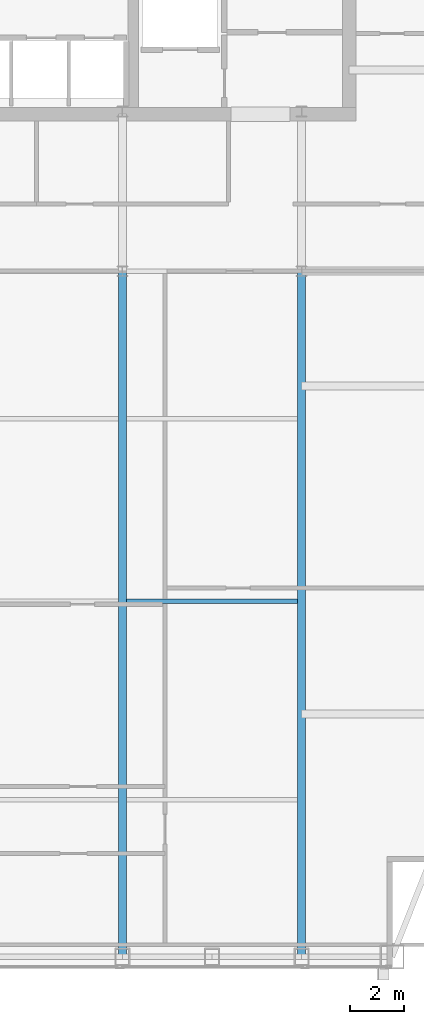
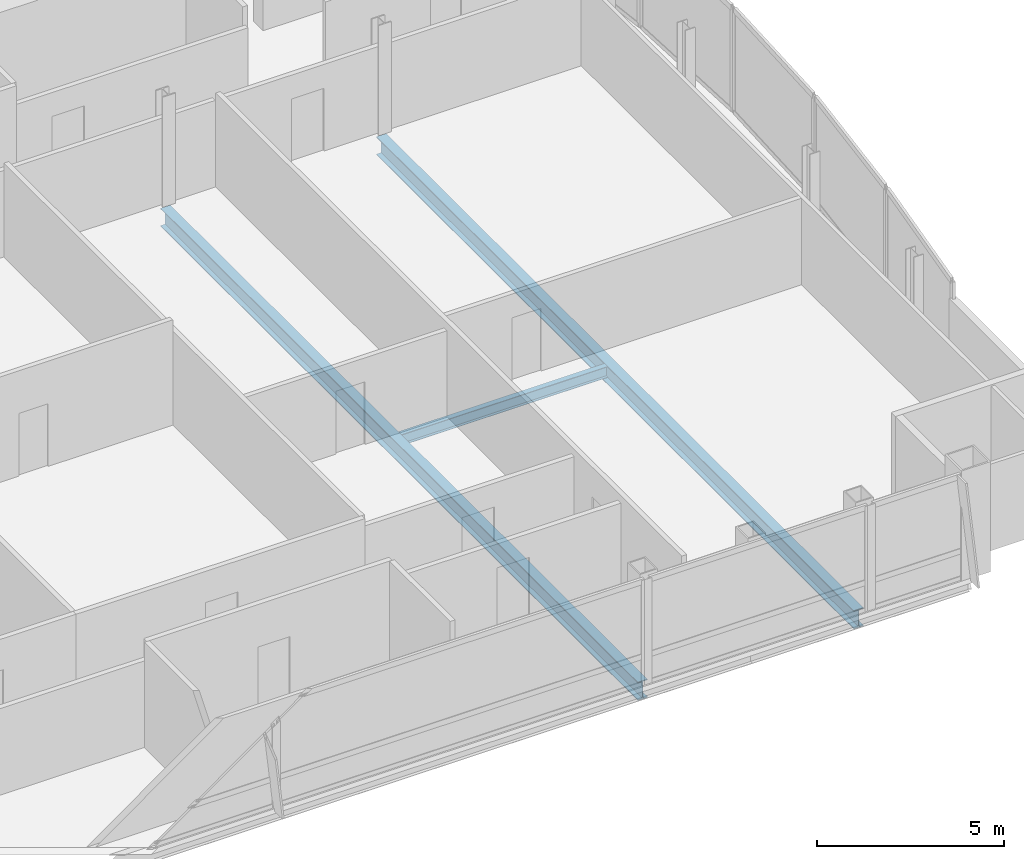
# One storey, part 13 of 26: 3 beams.
"""IFC4 building model written with IfcOpenShell, lengths in metres."""

from ifc_helpers import new_model, si_unit, direction, frame, origin, origin_2d, place, context, subcontext, project, spatial, i_section, extrude, material, material_profile, profile_set, type_object, element, save


model = new_model("IFC4")

# Units and contexts
model_context = context("Model", 3, precision=1e-05, world=origin(), true_north=direction((0.0, 1.0)))
body_context = subcontext(model_context, "Body", "Model", "MODEL_VIEW")
ifc_project = project(units=[si_unit("LENGTHUNIT", "METRE"), si_unit("AREAUNIT", "SQUARE_METRE"), si_unit("VOLUMEUNIT", "CUBIC_METRE"), si_unit("PLANEANGLEUNIT", "RADIAN"), si_unit("MASSUNIT", "GRAM", prefix="KILO")], contexts=[model_context])

# Site, building, storey
site_placement = place(None, origin())
site = spatial("IfcSite", under=ifc_project, at=site_placement, CompositionType="ELEMENT")
building_placement = place(site_placement, origin())
building = spatial("IfcBuilding", under=site, at=building_placement, Name="Khoronbel Lancet Exchange", CompositionType="ELEMENT")
storey_placement = place(building_placement, frame((0.0, 0.0, 339.800048828125)))
storey = spatial("IfcBuildingStorey", under=building, at=storey_placement, Name="L88", CompositionType="ELEMENT", Elevation=339.800048828125)

# Beams
ifc_material = material(Name="Steel S355", Category="steel")
ifc_material_profile_1 = material_profile(ifc_material, i_section(OverallWidth=0.300048828125, OverallDepth=0.60009765625, WebThickness=0.015380859375, FlangeThickness=0.030029296875, at=origin_2d()), Name="HEB 600")
ifc_profile_set_1 = profile_set([ifc_material_profile_1], Name="Steel S355")
beam_type_1 = type_object("IfcBeamType", Name="BM-BG5", PredefinedType="BEAM", material=ifc_profile_set_1)
for number, where, z_axis, x_axis, name in (
    (1, (48.0, 10.14990234375, -0.4599609375), (0.0, 1.0, 0.0), (-1.0, 0.0, 0.0), "Level L88 south primary girder GS5"),
    (2, (54.675048828125, 10.14990234375, -0.4599609375), (0.0, 1.0, 0.0), (-1.0, 0.0, 0.0), "Level L88 south primary girder GS6"),
):
    element("IfcBeam", number, at=place(storey_placement, frame(where, z_axis=z_axis, x_axis=x_axis)), inside=storey, type_object=beam_type_1, Name=name, PredefinedType="BEAM", context=body_context, shape_type="SweptSolid", body=[
        extrude(i_section(OverallWidth=0.300048828125, OverallDepth=0.60009765625, WebThickness=0.015380859375, FlangeThickness=0.030029296875, at=origin_2d()), origin(), (0.0, 0.0, 1.0), 25.550048828125),
    ])
ifc_material_profile_2 = material_profile(ifc_material, i_section(OverallWidth=0.169921875, OverallDepth=0.360107421875, WebThickness=0.008056640625, FlangeThickness=0.0126953125, at=origin_2d()), Name="IPE 360")
ifc_profile_set_2 = profile_set([ifc_material_profile_2], Name="Steel S355")
beam_type_2 = type_object("IfcBeamType", Name="BM-BJ6", PredefinedType="JOIST", material=ifc_profile_set_2)
beam_placement = place(storey_placement, frame((48.14990234375, 23.39990234375, -0.340087890625), z_axis=(1.0, 0.0, 0.0), x_axis=(0.0, 1.0, 0.0)))
element("IfcBeam", 3, at=beam_placement, inside=storey, type_object=beam_type_2, Name="Level L88 secondary composite joist J06", PredefinedType="JOIST", context=body_context, shape_type="SweptSolid", body=[
    extrude(i_section(OverallWidth=0.169921875, OverallDepth=0.360107421875, WebThickness=0.008056640625, FlangeThickness=0.0126953125, at=origin_2d()), origin(), (0.0, 0.0, 1.0), 6.375),
])

save(model, "model.ifc")
